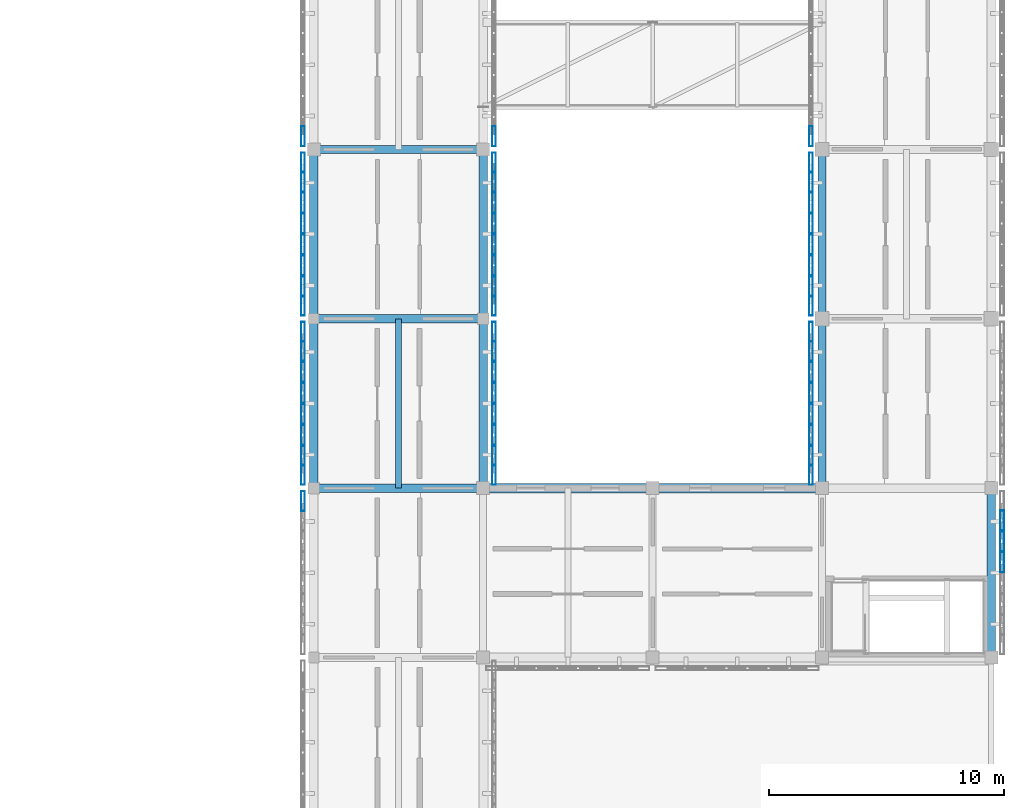
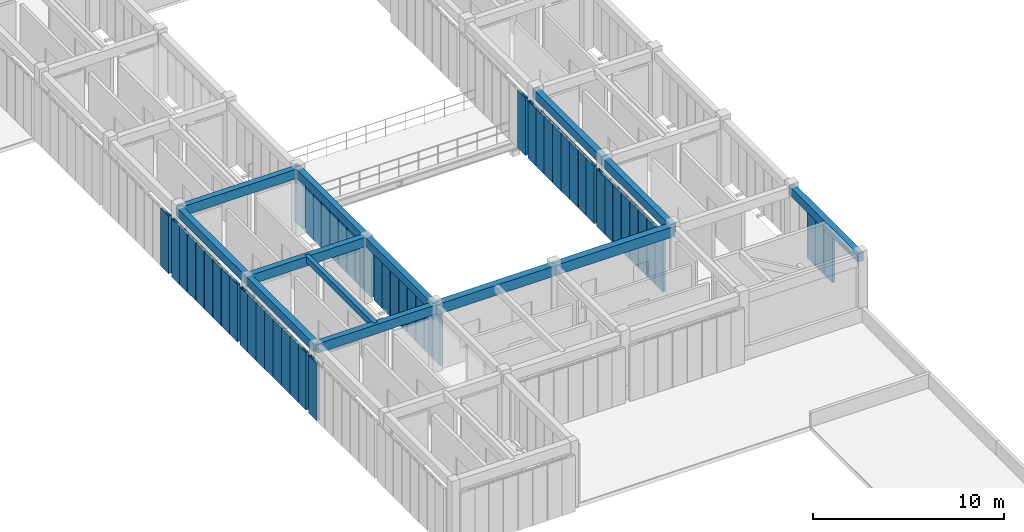
# One storey, part 12 of 91: 55 members, 13 beams, 11 elements without a shape of their own.
"""IFC4 building model written with IfcOpenShell, lengths in metres."""

from ifc_helpers import new_model, si_unit, direction, frame, origin, origin_2d, place, context, subcontext, project, spatial, rectangle, hollow_rectangle, extrude, material, material_profile, profile_set, type_object, element, aggregate, save


model = new_model("IFC4")

# Units and contexts
model_context = context("Model", 3, precision=1e-05, world=origin(), true_north=direction((0.0, 1.0)))
body_context = subcontext(model_context, "Body", "Model", "MODEL_VIEW")
ifc_project = project(units=[si_unit("LENGTHUNIT", "METRE"), si_unit("AREAUNIT", "SQUARE_METRE"), si_unit("VOLUMEUNIT", "CUBIC_METRE"), si_unit("PLANEANGLEUNIT", "RADIAN"), si_unit("MASSUNIT", "GRAM", prefix="KILO")], contexts=[model_context])

# Site, building, storey
site_placement = place(None, origin())
site = spatial("IfcSite", under=ifc_project, at=site_placement, CompositionType="ELEMENT")
building_placement = place(site_placement, origin())
building = spatial("IfcBuilding", under=site, at=building_placement, Name="Aldebral Square Health Centre", CompositionType="ELEMENT")
storey_placement = place(building_placement, frame((0.0, 0.0, 9.0)))
storey = spatial("IfcBuildingStorey", under=building, at=storey_placement, Name="L02", CompositionType="ELEMENT", Elevation=9.0)

# Beams
ifc_material_1 = material(Name="Concrete C40/50", Category="concrete")
ifc_material_profile_1 = material_profile(ifc_material_1, rectangle(XDim=0.39990234375, YDim=0.64990234375, at=origin_2d()), Name="RC 400x650")
ifc_profile_set_1 = profile_set([ifc_material_profile_1], Name="Concrete C40/50")
beam_type_1 = type_object("IfcBeamType", Name="BM-B1", PredefinedType="BEAM", material=ifc_profile_set_1)
for number, where, z_axis, x_axis, name in (
    (1, (144.0, 64.800048828125, 3.9150390625), (1.0, 0.0, 0.0), (0.0, 1.0, 0.0), "L02 X-beam 21-22/G10"),
    (2, (151.199951171875, 64.800048828125, 3.9150390625), (1.0, 0.0, 0.0), (0.0, 1.0, 0.0), "L02 X-beam 22-23/G10"),
):
    element("IfcBeam", number, at=place(storey_placement, frame(where, z_axis=z_axis, x_axis=x_axis)), inside=storey, type_object=beam_type_1, Name=name, PredefinedType="BEAM", context=body_context, shape_type="SweptSolid", body=[
        extrude(rectangle(XDim=0.39990234375, YDim=0.64990234375, at=origin_2d()), origin(), (0.0, 0.0, 1.0), 7.199951171875),
    ])
ifc_material_profile_2 = material_profile(ifc_material_1, rectangle(XDim=0.35009765625, YDim=0.60009765625, at=origin_2d()), Name="RC 350x600")
ifc_profile_set_2 = profile_set([ifc_material_profile_2], Name="Concrete C40/50")
beam_type_2 = type_object("IfcBeamType", Name="BM-B2", PredefinedType="BEAM", material=ifc_profile_set_2)
for number, where, z_axis, x_axis, name in (
    (3, (136.800048828125, 64.800048828125, 3.93994140625), (1.0, 0.0, 0.0), (0.0, 1.0, 0.0), "L02 X-beam 20-21/G10"),
    (4, (136.800048828125, 72.0, 3.93994140625), (1.0, 0.0, 0.0), (0.0, 1.0, 0.0), "L02 X-beam 20-21/G11"),
    (5, (136.800048828125, 79.199951171875, 3.93994140625), (1.0, 0.0, 0.0), (0.0, 1.0, 0.0), "L02 X-beam 20-21/G12"),
):
    element("IfcBeam", number, at=place(storey_placement, frame(where, z_axis=z_axis, x_axis=x_axis)), inside=storey, type_object=beam_type_2, Name=name, PredefinedType="BEAM", context=body_context, shape_type="SweptSolid", body=[
        extrude(rectangle(XDim=0.35009765625, YDim=0.60009765625, at=origin_2d()), origin(), (0.0, 0.0, 1.0), 7.199951171875),
    ])
ifc_material_profile_3 = material_profile(ifc_material_1, rectangle(XDim=0.35009765625, YDim=0.550048828125, at=origin_2d()), Name="RC 350x550")
ifc_profile_set_3 = profile_set([ifc_material_profile_3], Name="Concrete C40/50")
beam_type_3 = type_object("IfcBeamType", Name="BM-B3", PredefinedType="BEAM", material=ifc_profile_set_3)
for number, where, z_axis, x_axis, name in (
    (6, (136.800048828125, 64.800048828125, 3.965087890625), (0.0, 1.0, 0.0), (-1.0, 0.0, 0.0), "L02 Y-beam G20/10-11"),
    (7, (136.800048828125, 72.0, 3.965087890625), (0.0, 1.0, 0.0), (-1.0, 0.0, 0.0), "L02 Y-beam G20/11-12"),
    (8, (144.0, 64.800048828125, 3.965087890625), (0.0, 1.0, 0.0), (-1.0, 0.0, 0.0), "L02 Y-beam G21/10-11"),
    (9, (144.0, 72.0, 3.965087890625), (0.0, 1.0, 0.0), (-1.0, 0.0, 0.0), "L02 Y-beam G21/11-12"),
    (10, (158.39990234375, 64.800048828125, 3.965087890625), (0.0, 1.0, 0.0), (-1.0, 0.0, 0.0), "L02 Y-beam G23/10-11"),
    (11, (158.39990234375, 72.0, 3.965087890625), (0.0, 1.0, 0.0), (-1.0, 0.0, 0.0), "L02 Y-beam G23/11-12"),
    (12, (165.60009765625, 57.60009765625, 3.965087890625), (0.0, 1.0, 0.0), (-1.0, 0.0, 0.0), "L02 Y-beam G24/9-10"),
):
    element("IfcBeam", number, at=place(storey_placement, frame(where, z_axis=z_axis, x_axis=x_axis)), inside=storey, type_object=beam_type_3, Name=name, PredefinedType="BEAM", context=body_context, shape_type="SweptSolid", body=[
        extrude(rectangle(XDim=0.35009765625, YDim=0.550048828125, at=origin_2d()), origin(), (0.0, 0.0, 1.0), 7.199951171875),
    ])
ifc_material_profile_4 = material_profile(ifc_material_1, rectangle(XDim=0.25, YDim=0.39990234375, at=origin_2d()), Name="RC 250x400")
ifc_profile_set_4 = profile_set([ifc_material_profile_4], Name="Concrete C40/50")
beam_type_4 = type_object("IfcBeamType", Name="BM-B6", PredefinedType="JOIST", material=ifc_profile_set_4)
beam_placement = place(storey_placement, frame((140.39990234375, 64.800048828125, 4.0400390625), z_axis=(0.0, 1.0, 0.0), x_axis=(-1.0, 0.0, 0.0)))
element("IfcBeam", 13, at=beam_placement, inside=storey, type_object=beam_type_4, Name="L02 secondary rib 20.10", PredefinedType="JOIST", context=body_context, shape_type="SweptSolid", body=[
    extrude(rectangle(XDim=0.25, YDim=0.39990234375, at=origin_2d()), origin(), (0.0, 0.0, 1.0), 7.199951171875),
])

# Curtain wall, member
ifc_material_2 = material(Name="Aluminium and low-E solar glass", Category="aluminium")
curtain_wall_type = type_object("IfcCurtainWallType", Name="CW-FIN-SYS", PredefinedType="USERDEFINED", material=ifc_material_2)
curtain_wall_1_placement = place(storey_placement, origin())
curtain_wall_1 = element("IfcCurtainWall", 14, at=curtain_wall_1_placement, inside=storey, type_object=curtain_wall_type, Name="L02 V5 finned curtain wall L02-V5-19-08-W", ObjectType="SOLAR_CURTAIN_WALL", PredefinedType="USERDEFINED")
ifc_material_3 = material(Name="Sienna-terracotta clad aluminium fin", Category="masonry")
ifc_material_profile_5 = material_profile(ifc_material_3, hollow_rectangle(XDim=0.159912109375, YDim=0.85009765625, WallThickness=0.006103515625, at=origin_2d()), Name="FIN 160x850x6")
ifc_profile_set_5 = profile_set([ifc_material_profile_5], Name="Sienna-terracotta clad aluminium fin")
member_type = type_object("IfcMemberType", Name="CWM-FIN", PredefinedType="MULLION", material=ifc_profile_set_5)
member_1_placement = place(storey_placement, frame((136.340087890625, 64.239990234375, 0.0), z_axis=(0.0, 0.0, 1.0), x_axis=(1.0, 0.0, 0.0)))
member_1 = element("IfcMember", 15, at=member_1_placement, type_object=member_type, Name="CW1 mullion 1", PredefinedType="MULLION", context=body_context, shape_type="SweptSolid", body=[
    extrude(hollow_rectangle(XDim=0.159912109375, YDim=0.85009765625, WallThickness=0.006103515625, at=origin_2d()), origin(), (0.0, 0.0, 1.0), 3.68994140625),
])
aggregate(curtain_wall_1, [member_1])

# Curtain wall, members
curtain_wall_2_placement = place(storey_placement, origin())
curtain_wall_2 = element("IfcCurtainWall", 16, at=curtain_wall_2_placement, inside=storey, type_object=curtain_wall_type, Name="L02 V5 finned curtain wall L02-V5-19-09-W", ObjectType="SOLAR_CURTAIN_WALL", PredefinedType="USERDEFINED")
member_2_placement = place(storey_placement, frame((136.340087890625, 71.43994140625, 0.0), z_axis=(0.0, 0.0, 1.0), x_axis=(1.0, 0.0, 0.0)))
member_2 = element("IfcMember", 17, at=member_2_placement, type_object=member_type, Name="CW1 mullion 1", PredefinedType="MULLION", context=body_context, shape_type="SweptSolid", body=[
    extrude(hollow_rectangle(XDim=0.159912109375, YDim=0.85009765625, WallThickness=0.006103515625, at=origin_2d()), origin(), (0.0, 0.0, 1.0), 3.68994140625),
])
member_3_placement = place(storey_placement, frame((136.340087890625, 70.628662109375, 0.0), z_axis=(0.0, 0.0, 1.0), x_axis=(1.0, 0.0, 0.0)))
member_3 = element("IfcMember", 18, at=member_3_placement, type_object=member_type, Name="CW1 mullion 2", PredefinedType="MULLION", context=body_context, shape_type="SweptSolid", body=[
    extrude(hollow_rectangle(XDim=0.159912109375, YDim=0.85009765625, WallThickness=0.006103515625, at=origin_2d()), origin(), (0.0, 0.0, 1.0), 3.68994140625),
])
member_4_placement = place(storey_placement, frame((136.340087890625, 69.737060546875, 0.0), z_axis=(0.0, 0.0, 1.0), x_axis=(1.0, 0.0, 0.0)))
member_4 = element("IfcMember", 19, at=member_4_placement, type_object=member_type, Name="CW1 mullion 3", PredefinedType="MULLION", context=body_context, shape_type="SweptSolid", body=[
    extrude(hollow_rectangle(XDim=0.159912109375, YDim=0.85009765625, WallThickness=0.006103515625, at=origin_2d()), origin(), (0.0, 0.0, 1.0), 3.68994140625),
])
member_5_placement = place(storey_placement, frame((136.340087890625, 68.845703125, 0.0), z_axis=(0.0, 0.0, 1.0), x_axis=(1.0, 0.0, 0.0)))
member_5 = element("IfcMember", 20, at=member_5_placement, type_object=member_type, Name="CW1 mullion 4", PredefinedType="MULLION", context=body_context, shape_type="SweptSolid", body=[
    extrude(hollow_rectangle(XDim=0.159912109375, YDim=0.85009765625, WallThickness=0.006103515625, at=origin_2d()), origin(), (0.0, 0.0, 1.0), 3.68994140625),
])
member_6_placement = place(storey_placement, frame((136.340087890625, 67.954345703125, 0.0), z_axis=(0.0, 0.0, 1.0), x_axis=(1.0, 0.0, 0.0)))
member_6 = element("IfcMember", 21, at=member_6_placement, type_object=member_type, Name="CW1 mullion 5", PredefinedType="MULLION", context=body_context, shape_type="SweptSolid", body=[
    extrude(hollow_rectangle(XDim=0.159912109375, YDim=0.85009765625, WallThickness=0.006103515625, at=origin_2d()), origin(), (0.0, 0.0, 1.0), 3.68994140625),
])
member_7_placement = place(storey_placement, frame((136.340087890625, 67.062744140625, 0.0), z_axis=(0.0, 0.0, 1.0), x_axis=(1.0, 0.0, 0.0)))
member_7 = element("IfcMember", 22, at=member_7_placement, type_object=member_type, Name="CW1 mullion 6", PredefinedType="MULLION", context=body_context, shape_type="SweptSolid", body=[
    extrude(hollow_rectangle(XDim=0.159912109375, YDim=0.85009765625, WallThickness=0.006103515625, at=origin_2d()), origin(), (0.0, 0.0, 1.0), 3.68994140625),
])
member_8_placement = place(storey_placement, frame((136.340087890625, 66.17138671875, 0.0), z_axis=(0.0, 0.0, 1.0), x_axis=(1.0, 0.0, 0.0)))
member_8 = element("IfcMember", 23, at=member_8_placement, type_object=member_type, Name="CW1 mullion 7", PredefinedType="MULLION", context=body_context, shape_type="SweptSolid", body=[
    extrude(hollow_rectangle(XDim=0.159912109375, YDim=0.85009765625, WallThickness=0.006103515625, at=origin_2d()), origin(), (0.0, 0.0, 1.0), 3.68994140625),
])
member_9_placement = place(storey_placement, frame((136.340087890625, 65.360107421875, 0.0), z_axis=(0.0, 0.0, 1.0), x_axis=(1.0, 0.0, 0.0)))
member_9 = element("IfcMember", 24, at=member_9_placement, type_object=member_type, Name="CW1 mullion 8", PredefinedType="MULLION", context=body_context, shape_type="SweptSolid", body=[
    extrude(hollow_rectangle(XDim=0.159912109375, YDim=0.85009765625, WallThickness=0.006103515625, at=origin_2d()), origin(), (0.0, 0.0, 1.0), 3.68994140625),
])
aggregate(curtain_wall_2, [member_2, member_3, member_4, member_5, member_6, member_7, member_8, member_9])

curtain_wall_3_placement = place(storey_placement, origin())
curtain_wall_3 = element("IfcCurtainWall", 25, at=curtain_wall_3_placement, inside=storey, type_object=curtain_wall_type, Name="L02 V5 finned curtain wall L02-V5-19-09-E", ObjectType="SOLAR_CURTAIN_WALL", PredefinedType="USERDEFINED")
member_10_placement = place(storey_placement, frame((144.4599609375, 65.360107421875, 0.0), z_axis=(0.0, 0.0, 1.0), x_axis=(-1.0, 0.0, 0.0)))
member_10 = element("IfcMember", 26, at=member_10_placement, type_object=member_type, Name="CW1 mullion 1", PredefinedType="MULLION", context=body_context, shape_type="SweptSolid", body=[
    extrude(hollow_rectangle(XDim=0.159912109375, YDim=0.85009765625, WallThickness=0.006103515625, at=origin_2d()), origin(), (0.0, 0.0, 1.0), 3.68994140625),
])
member_11_placement = place(storey_placement, frame((144.4599609375, 66.17138671875, 0.0), z_axis=(0.0, 0.0, 1.0), x_axis=(-1.0, 0.0, 0.0)))
member_11 = element("IfcMember", 27, at=member_11_placement, type_object=member_type, Name="CW1 mullion 2", PredefinedType="MULLION", context=body_context, shape_type="SweptSolid", body=[
    extrude(hollow_rectangle(XDim=0.159912109375, YDim=0.85009765625, WallThickness=0.006103515625, at=origin_2d()), origin(), (0.0, 0.0, 1.0), 3.68994140625),
])
member_12_placement = place(storey_placement, frame((144.4599609375, 67.062744140625, 0.0), z_axis=(0.0, 0.0, 1.0), x_axis=(-1.0, 0.0, 0.0)))
member_12 = element("IfcMember", 28, at=member_12_placement, type_object=member_type, Name="CW1 mullion 3", PredefinedType="MULLION", context=body_context, shape_type="SweptSolid", body=[
    extrude(hollow_rectangle(XDim=0.159912109375, YDim=0.85009765625, WallThickness=0.006103515625, at=origin_2d()), origin(), (0.0, 0.0, 1.0), 3.68994140625),
])
member_13_placement = place(storey_placement, frame((144.4599609375, 67.954345703125, 0.0), z_axis=(0.0, 0.0, 1.0), x_axis=(-1.0, 0.0, 0.0)))
member_13 = element("IfcMember", 29, at=member_13_placement, type_object=member_type, Name="CW1 mullion 4", PredefinedType="MULLION", context=body_context, shape_type="SweptSolid", body=[
    extrude(hollow_rectangle(XDim=0.159912109375, YDim=0.85009765625, WallThickness=0.006103515625, at=origin_2d()), origin(), (0.0, 0.0, 1.0), 3.68994140625),
])
member_14_placement = place(storey_placement, frame((144.4599609375, 68.845703125, 0.0), z_axis=(0.0, 0.0, 1.0), x_axis=(-1.0, 0.0, 0.0)))
member_14 = element("IfcMember", 30, at=member_14_placement, type_object=member_type, Name="CW1 mullion 5", PredefinedType="MULLION", context=body_context, shape_type="SweptSolid", body=[
    extrude(hollow_rectangle(XDim=0.159912109375, YDim=0.85009765625, WallThickness=0.006103515625, at=origin_2d()), origin(), (0.0, 0.0, 1.0), 3.68994140625),
])
member_15_placement = place(storey_placement, frame((144.4599609375, 69.737060546875, 0.0), z_axis=(0.0, 0.0, 1.0), x_axis=(-1.0, 0.0, 0.0)))
member_15 = element("IfcMember", 31, at=member_15_placement, type_object=member_type, Name="CW1 mullion 6", PredefinedType="MULLION", context=body_context, shape_type="SweptSolid", body=[
    extrude(hollow_rectangle(XDim=0.159912109375, YDim=0.85009765625, WallThickness=0.006103515625, at=origin_2d()), origin(), (0.0, 0.0, 1.0), 3.68994140625),
])
member_16_placement = place(storey_placement, frame((144.4599609375, 70.628662109375, 0.0), z_axis=(0.0, 0.0, 1.0), x_axis=(-1.0, 0.0, 0.0)))
member_16 = element("IfcMember", 32, at=member_16_placement, type_object=member_type, Name="CW1 mullion 7", PredefinedType="MULLION", context=body_context, shape_type="SweptSolid", body=[
    extrude(hollow_rectangle(XDim=0.159912109375, YDim=0.85009765625, WallThickness=0.006103515625, at=origin_2d()), origin(), (0.0, 0.0, 1.0), 3.68994140625),
])
member_17_placement = place(storey_placement, frame((144.4599609375, 71.43994140625, 0.0), z_axis=(0.0, 0.0, 1.0), x_axis=(-1.0, 0.0, 0.0)))
member_17 = element("IfcMember", 33, at=member_17_placement, type_object=member_type, Name="CW1 mullion 8", PredefinedType="MULLION", context=body_context, shape_type="SweptSolid", body=[
    extrude(hollow_rectangle(XDim=0.159912109375, YDim=0.85009765625, WallThickness=0.006103515625, at=origin_2d()), origin(), (0.0, 0.0, 1.0), 3.68994140625),
])
aggregate(curtain_wall_3, [member_10, member_11, member_12, member_13, member_14, member_15, member_16, member_17])

curtain_wall_4_placement = place(storey_placement, origin())
curtain_wall_4 = element("IfcCurtainWall", 34, at=curtain_wall_4_placement, inside=storey, type_object=curtain_wall_type, Name="L02 V5 finned curtain wall L02-V5-19-10-W", ObjectType="SOLAR_CURTAIN_WALL", PredefinedType="USERDEFINED")
member_18_placement = place(storey_placement, frame((136.340087890625, 78.639892578125, 0.0), z_axis=(0.0, 0.0, 1.0), x_axis=(1.0, 0.0, 0.0)))
member_18 = element("IfcMember", 35, at=member_18_placement, type_object=member_type, Name="CW1 mullion 1", PredefinedType="MULLION", context=body_context, shape_type="SweptSolid", body=[
    extrude(hollow_rectangle(XDim=0.159912109375, YDim=0.85009765625, WallThickness=0.006103515625, at=origin_2d()), origin(), (0.0, 0.0, 1.0), 3.68994140625),
])
member_19_placement = place(storey_placement, frame((136.340087890625, 77.82861328125, 0.0), z_axis=(0.0, 0.0, 1.0), x_axis=(1.0, 0.0, 0.0)))
member_19 = element("IfcMember", 36, at=member_19_placement, type_object=member_type, Name="CW1 mullion 2", PredefinedType="MULLION", context=body_context, shape_type="SweptSolid", body=[
    extrude(hollow_rectangle(XDim=0.159912109375, YDim=0.85009765625, WallThickness=0.006103515625, at=origin_2d()), origin(), (0.0, 0.0, 1.0), 3.68994140625),
])
member_20_placement = place(storey_placement, frame((136.340087890625, 76.937255859375, 0.0), z_axis=(0.0, 0.0, 1.0), x_axis=(1.0, 0.0, 0.0)))
member_20 = element("IfcMember", 37, at=member_20_placement, type_object=member_type, Name="CW1 mullion 3", PredefinedType="MULLION", context=body_context, shape_type="SweptSolid", body=[
    extrude(hollow_rectangle(XDim=0.159912109375, YDim=0.85009765625, WallThickness=0.006103515625, at=origin_2d()), origin(), (0.0, 0.0, 1.0), 3.68994140625),
])
member_21_placement = place(storey_placement, frame((136.340087890625, 76.045654296875, 0.0), z_axis=(0.0, 0.0, 1.0), x_axis=(1.0, 0.0, 0.0)))
member_21 = element("IfcMember", 38, at=member_21_placement, type_object=member_type, Name="CW1 mullion 4", PredefinedType="MULLION", context=body_context, shape_type="SweptSolid", body=[
    extrude(hollow_rectangle(XDim=0.159912109375, YDim=0.85009765625, WallThickness=0.006103515625, at=origin_2d()), origin(), (0.0, 0.0, 1.0), 3.68994140625),
])
member_22_placement = place(storey_placement, frame((136.340087890625, 75.154296875, 0.0), z_axis=(0.0, 0.0, 1.0), x_axis=(1.0, 0.0, 0.0)))
member_22 = element("IfcMember", 39, at=member_22_placement, type_object=member_type, Name="CW1 mullion 5", PredefinedType="MULLION", context=body_context, shape_type="SweptSolid", body=[
    extrude(hollow_rectangle(XDim=0.159912109375, YDim=0.85009765625, WallThickness=0.006103515625, at=origin_2d()), origin(), (0.0, 0.0, 1.0), 3.68994140625),
])
member_23_placement = place(storey_placement, frame((136.340087890625, 74.262939453125, 0.0), z_axis=(0.0, 0.0, 1.0), x_axis=(1.0, 0.0, 0.0)))
member_23 = element("IfcMember", 40, at=member_23_placement, type_object=member_type, Name="CW1 mullion 6", PredefinedType="MULLION", context=body_context, shape_type="SweptSolid", body=[
    extrude(hollow_rectangle(XDim=0.159912109375, YDim=0.85009765625, WallThickness=0.006103515625, at=origin_2d()), origin(), (0.0, 0.0, 1.0), 3.68994140625),
])
member_24_placement = place(storey_placement, frame((136.340087890625, 73.371337890625, 0.0), z_axis=(0.0, 0.0, 1.0), x_axis=(1.0, 0.0, 0.0)))
member_24 = element("IfcMember", 41, at=member_24_placement, type_object=member_type, Name="CW1 mullion 7", PredefinedType="MULLION", context=body_context, shape_type="SweptSolid", body=[
    extrude(hollow_rectangle(XDim=0.159912109375, YDim=0.85009765625, WallThickness=0.006103515625, at=origin_2d()), origin(), (0.0, 0.0, 1.0), 3.68994140625),
])
member_25_placement = place(storey_placement, frame((136.340087890625, 72.56005859375, 0.0), z_axis=(0.0, 0.0, 1.0), x_axis=(1.0, 0.0, 0.0)))
member_25 = element("IfcMember", 42, at=member_25_placement, type_object=member_type, Name="CW1 mullion 8", PredefinedType="MULLION", context=body_context, shape_type="SweptSolid", body=[
    extrude(hollow_rectangle(XDim=0.159912109375, YDim=0.85009765625, WallThickness=0.006103515625, at=origin_2d()), origin(), (0.0, 0.0, 1.0), 3.68994140625),
])
aggregate(curtain_wall_4, [member_18, member_19, member_20, member_21, member_22, member_23, member_24, member_25])

curtain_wall_5_placement = place(storey_placement, origin())
curtain_wall_5 = element("IfcCurtainWall", 43, at=curtain_wall_5_placement, inside=storey, type_object=curtain_wall_type, Name="L02 V5 finned curtain wall L02-V5-19-10-E", ObjectType="SOLAR_CURTAIN_WALL", PredefinedType="USERDEFINED")
member_26_placement = place(storey_placement, frame((144.4599609375, 72.56005859375, 0.0), z_axis=(0.0, 0.0, 1.0), x_axis=(-1.0, 0.0, 0.0)))
member_26 = element("IfcMember", 44, at=member_26_placement, type_object=member_type, Name="CW1 mullion 1", PredefinedType="MULLION", context=body_context, shape_type="SweptSolid", body=[
    extrude(hollow_rectangle(XDim=0.159912109375, YDim=0.85009765625, WallThickness=0.006103515625, at=origin_2d()), origin(), (0.0, 0.0, 1.0), 3.68994140625),
])
member_27_placement = place(storey_placement, frame((144.4599609375, 73.371337890625, 0.0), z_axis=(0.0, 0.0, 1.0), x_axis=(-1.0, 0.0, 0.0)))
member_27 = element("IfcMember", 45, at=member_27_placement, type_object=member_type, Name="CW1 mullion 2", PredefinedType="MULLION", context=body_context, shape_type="SweptSolid", body=[
    extrude(hollow_rectangle(XDim=0.159912109375, YDim=0.85009765625, WallThickness=0.006103515625, at=origin_2d()), origin(), (0.0, 0.0, 1.0), 3.68994140625),
])
member_28_placement = place(storey_placement, frame((144.4599609375, 74.262939453125, 0.0), z_axis=(0.0, 0.0, 1.0), x_axis=(-1.0, 0.0, 0.0)))
member_28 = element("IfcMember", 46, at=member_28_placement, type_object=member_type, Name="CW1 mullion 3", PredefinedType="MULLION", context=body_context, shape_type="SweptSolid", body=[
    extrude(hollow_rectangle(XDim=0.159912109375, YDim=0.85009765625, WallThickness=0.006103515625, at=origin_2d()), origin(), (0.0, 0.0, 1.0), 3.68994140625),
])
member_29_placement = place(storey_placement, frame((144.4599609375, 75.154296875, 0.0), z_axis=(0.0, 0.0, 1.0), x_axis=(-1.0, 0.0, 0.0)))
member_29 = element("IfcMember", 47, at=member_29_placement, type_object=member_type, Name="CW1 mullion 4", PredefinedType="MULLION", context=body_context, shape_type="SweptSolid", body=[
    extrude(hollow_rectangle(XDim=0.159912109375, YDim=0.85009765625, WallThickness=0.006103515625, at=origin_2d()), origin(), (0.0, 0.0, 1.0), 3.68994140625),
])
member_30_placement = place(storey_placement, frame((144.4599609375, 76.045654296875, 0.0), z_axis=(0.0, 0.0, 1.0), x_axis=(-1.0, 0.0, 0.0)))
member_30 = element("IfcMember", 48, at=member_30_placement, type_object=member_type, Name="CW1 mullion 5", PredefinedType="MULLION", context=body_context, shape_type="SweptSolid", body=[
    extrude(hollow_rectangle(XDim=0.159912109375, YDim=0.85009765625, WallThickness=0.006103515625, at=origin_2d()), origin(), (0.0, 0.0, 1.0), 3.68994140625),
])
member_31_placement = place(storey_placement, frame((144.4599609375, 76.937255859375, 0.0), z_axis=(0.0, 0.0, 1.0), x_axis=(-1.0, 0.0, 0.0)))
member_31 = element("IfcMember", 49, at=member_31_placement, type_object=member_type, Name="CW1 mullion 6", PredefinedType="MULLION", context=body_context, shape_type="SweptSolid", body=[
    extrude(hollow_rectangle(XDim=0.159912109375, YDim=0.85009765625, WallThickness=0.006103515625, at=origin_2d()), origin(), (0.0, 0.0, 1.0), 3.68994140625),
])
member_32_placement = place(storey_placement, frame((144.4599609375, 77.82861328125, 0.0), z_axis=(0.0, 0.0, 1.0), x_axis=(-1.0, 0.0, 0.0)))
member_32 = element("IfcMember", 50, at=member_32_placement, type_object=member_type, Name="CW1 mullion 7", PredefinedType="MULLION", context=body_context, shape_type="SweptSolid", body=[
    extrude(hollow_rectangle(XDim=0.159912109375, YDim=0.85009765625, WallThickness=0.006103515625, at=origin_2d()), origin(), (0.0, 0.0, 1.0), 3.68994140625),
])
member_33_placement = place(storey_placement, frame((144.4599609375, 78.639892578125, 0.0), z_axis=(0.0, 0.0, 1.0), x_axis=(-1.0, 0.0, 0.0)))
member_33 = element("IfcMember", 51, at=member_33_placement, type_object=member_type, Name="CW1 mullion 8", PredefinedType="MULLION", context=body_context, shape_type="SweptSolid", body=[
    extrude(hollow_rectangle(XDim=0.159912109375, YDim=0.85009765625, WallThickness=0.006103515625, at=origin_2d()), origin(), (0.0, 0.0, 1.0), 3.68994140625),
])
aggregate(curtain_wall_5, [member_26, member_27, member_28, member_29, member_30, member_31, member_32, member_33])

# Curtain wall, member
curtain_wall_6_placement = place(storey_placement, origin())
curtain_wall_6 = element("IfcCurtainWall", 52, at=curtain_wall_6_placement, inside=storey, type_object=curtain_wall_type, Name="L02 V5 finned curtain wall L02-V5-19-11-W", ObjectType="SOLAR_CURTAIN_WALL", PredefinedType="USERDEFINED")
member_34_placement = place(storey_placement, frame((136.340087890625, 79.760009765625, 0.0), z_axis=(0.0, 0.0, 1.0), x_axis=(1.0, 0.0, 0.0)))
member_34 = element("IfcMember", 53, at=member_34_placement, type_object=member_type, Name="CW1 mullion 8", PredefinedType="MULLION", context=body_context, shape_type="SweptSolid", body=[
    extrude(hollow_rectangle(XDim=0.159912109375, YDim=0.85009765625, WallThickness=0.006103515625, at=origin_2d()), origin(), (0.0, 0.0, 1.0), 3.68994140625),
])
aggregate(curtain_wall_6, [member_34])

curtain_wall_7_placement = place(storey_placement, origin())
curtain_wall_7 = element("IfcCurtainWall", 54, at=curtain_wall_7_placement, inside=storey, type_object=curtain_wall_type, Name="L02 V5 finned curtain wall L02-V5-19-11-E", ObjectType="SOLAR_CURTAIN_WALL", PredefinedType="USERDEFINED")
member_35_placement = place(storey_placement, frame((144.4599609375, 79.760009765625, 0.0), z_axis=(0.0, 0.0, 1.0), x_axis=(-1.0, 0.0, 0.0)))
member_35 = element("IfcMember", 55, at=member_35_placement, type_object=member_type, Name="CW1 mullion 1", PredefinedType="MULLION", context=body_context, shape_type="SweptSolid", body=[
    extrude(hollow_rectangle(XDim=0.159912109375, YDim=0.85009765625, WallThickness=0.006103515625, at=origin_2d()), origin(), (0.0, 0.0, 1.0), 3.68994140625),
])
aggregate(curtain_wall_7, [member_35])

# Curtain wall, members
curtain_wall_8_placement = place(storey_placement, origin())
curtain_wall_8 = element("IfcCurtainWall", 56, at=curtain_wall_8_placement, inside=storey, type_object=curtain_wall_type, Name="L02 V5 finned curtain wall L02-V5-22-08-E", ObjectType="SOLAR_CURTAIN_WALL", PredefinedType="USERDEFINED")
member_36_placement = place(storey_placement, frame((166.06005859375, 61.645751953125, 0.0), z_axis=(0.0, 0.0, 1.0), x_axis=(-1.0, 0.0, 0.0)))
member_36 = element("IfcMember", 57, at=member_36_placement, type_object=member_type, Name="CW1 mullion 5", PredefinedType="MULLION", context=body_context, shape_type="SweptSolid", body=[
    extrude(hollow_rectangle(XDim=0.159912109375, YDim=0.85009765625, WallThickness=0.006103515625, at=origin_2d()), origin(), (0.0, 0.0, 1.0), 3.68994140625),
])
member_37_placement = place(storey_placement, frame((166.06005859375, 62.537109375, 0.0), z_axis=(0.0, 0.0, 1.0), x_axis=(-1.0, 0.0, 0.0)))
member_37 = element("IfcMember", 58, at=member_37_placement, type_object=member_type, Name="CW1 mullion 6", PredefinedType="MULLION", context=body_context, shape_type="SweptSolid", body=[
    extrude(hollow_rectangle(XDim=0.159912109375, YDim=0.85009765625, WallThickness=0.006103515625, at=origin_2d()), origin(), (0.0, 0.0, 1.0), 3.68994140625),
])
member_38_placement = place(storey_placement, frame((166.06005859375, 63.428466796875, 0.0), z_axis=(0.0, 0.0, 1.0), x_axis=(-1.0, 0.0, 0.0)))
member_38 = element("IfcMember", 59, at=member_38_placement, type_object=member_type, Name="CW1 mullion 7", PredefinedType="MULLION", context=body_context, shape_type="SweptSolid", body=[
    extrude(hollow_rectangle(XDim=0.159912109375, YDim=0.85009765625, WallThickness=0.006103515625, at=origin_2d()), origin(), (0.0, 0.0, 1.0), 3.68994140625),
])
aggregate(curtain_wall_8, [member_36, member_37, member_38])

curtain_wall_9_placement = place(storey_placement, origin())
curtain_wall_9 = element("IfcCurtainWall", 60, at=curtain_wall_9_placement, inside=storey, type_object=curtain_wall_type, Name="L02 V5 finned curtain wall L02-V5-22-09-W", ObjectType="SOLAR_CURTAIN_WALL", PredefinedType="USERDEFINED")
member_39_placement = place(storey_placement, frame((157.93994140625, 71.43994140625, 0.0), z_axis=(0.0, 0.0, 1.0), x_axis=(1.0, 0.0, 0.0)))
member_39 = element("IfcMember", 61, at=member_39_placement, type_object=member_type, Name="CW1 mullion 1", PredefinedType="MULLION", context=body_context, shape_type="SweptSolid", body=[
    extrude(hollow_rectangle(XDim=0.159912109375, YDim=0.85009765625, WallThickness=0.006103515625, at=origin_2d()), origin(), (0.0, 0.0, 1.0), 3.68994140625),
])
member_40_placement = place(storey_placement, frame((157.93994140625, 70.628662109375, 0.0), z_axis=(0.0, 0.0, 1.0), x_axis=(1.0, 0.0, 0.0)))
member_40 = element("IfcMember", 62, at=member_40_placement, type_object=member_type, Name="CW1 mullion 2", PredefinedType="MULLION", context=body_context, shape_type="SweptSolid", body=[
    extrude(hollow_rectangle(XDim=0.159912109375, YDim=0.85009765625, WallThickness=0.006103515625, at=origin_2d()), origin(), (0.0, 0.0, 1.0), 3.68994140625),
])
member_41_placement = place(storey_placement, frame((157.93994140625, 69.737060546875, 0.0), z_axis=(0.0, 0.0, 1.0), x_axis=(1.0, 0.0, 0.0)))
member_41 = element("IfcMember", 63, at=member_41_placement, type_object=member_type, Name="CW1 mullion 3", PredefinedType="MULLION", context=body_context, shape_type="SweptSolid", body=[
    extrude(hollow_rectangle(XDim=0.159912109375, YDim=0.85009765625, WallThickness=0.006103515625, at=origin_2d()), origin(), (0.0, 0.0, 1.0), 3.68994140625),
])
member_42_placement = place(storey_placement, frame((157.93994140625, 68.845703125, 0.0), z_axis=(0.0, 0.0, 1.0), x_axis=(1.0, 0.0, 0.0)))
member_42 = element("IfcMember", 64, at=member_42_placement, type_object=member_type, Name="CW1 mullion 4", PredefinedType="MULLION", context=body_context, shape_type="SweptSolid", body=[
    extrude(hollow_rectangle(XDim=0.159912109375, YDim=0.85009765625, WallThickness=0.006103515625, at=origin_2d()), origin(), (0.0, 0.0, 1.0), 3.68994140625),
])
member_43_placement = place(storey_placement, frame((157.93994140625, 67.954345703125, 0.0), z_axis=(0.0, 0.0, 1.0), x_axis=(1.0, 0.0, 0.0)))
member_43 = element("IfcMember", 65, at=member_43_placement, type_object=member_type, Name="CW1 mullion 5", PredefinedType="MULLION", context=body_context, shape_type="SweptSolid", body=[
    extrude(hollow_rectangle(XDim=0.159912109375, YDim=0.85009765625, WallThickness=0.006103515625, at=origin_2d()), origin(), (0.0, 0.0, 1.0), 3.68994140625),
])
member_44_placement = place(storey_placement, frame((157.93994140625, 67.062744140625, 0.0), z_axis=(0.0, 0.0, 1.0), x_axis=(1.0, 0.0, 0.0)))
member_44 = element("IfcMember", 66, at=member_44_placement, type_object=member_type, Name="CW1 mullion 6", PredefinedType="MULLION", context=body_context, shape_type="SweptSolid", body=[
    extrude(hollow_rectangle(XDim=0.159912109375, YDim=0.85009765625, WallThickness=0.006103515625, at=origin_2d()), origin(), (0.0, 0.0, 1.0), 3.68994140625),
])
member_45_placement = place(storey_placement, frame((157.93994140625, 66.17138671875, 0.0), z_axis=(0.0, 0.0, 1.0), x_axis=(1.0, 0.0, 0.0)))
member_45 = element("IfcMember", 67, at=member_45_placement, type_object=member_type, Name="CW1 mullion 7", PredefinedType="MULLION", context=body_context, shape_type="SweptSolid", body=[
    extrude(hollow_rectangle(XDim=0.159912109375, YDim=0.85009765625, WallThickness=0.006103515625, at=origin_2d()), origin(), (0.0, 0.0, 1.0), 3.68994140625),
])
member_46_placement = place(storey_placement, frame((157.93994140625, 65.360107421875, 0.0), z_axis=(0.0, 0.0, 1.0), x_axis=(1.0, 0.0, 0.0)))
member_46 = element("IfcMember", 68, at=member_46_placement, type_object=member_type, Name="CW1 mullion 8", PredefinedType="MULLION", context=body_context, shape_type="SweptSolid", body=[
    extrude(hollow_rectangle(XDim=0.159912109375, YDim=0.85009765625, WallThickness=0.006103515625, at=origin_2d()), origin(), (0.0, 0.0, 1.0), 3.68994140625),
])
aggregate(curtain_wall_9, [member_39, member_40, member_41, member_42, member_43, member_44, member_45, member_46])

curtain_wall_10_placement = place(storey_placement, origin())
curtain_wall_10 = element("IfcCurtainWall", 69, at=curtain_wall_10_placement, inside=storey, type_object=curtain_wall_type, Name="L02 V5 finned curtain wall L02-V5-22-10-W", ObjectType="SOLAR_CURTAIN_WALL", PredefinedType="USERDEFINED")
member_47_placement = place(storey_placement, frame((157.93994140625, 78.639892578125, 0.0), z_axis=(0.0, 0.0, 1.0), x_axis=(1.0, 0.0, 0.0)))
member_47 = element("IfcMember", 70, at=member_47_placement, type_object=member_type, Name="CW1 mullion 1", PredefinedType="MULLION", context=body_context, shape_type="SweptSolid", body=[
    extrude(hollow_rectangle(XDim=0.159912109375, YDim=0.85009765625, WallThickness=0.006103515625, at=origin_2d()), origin(), (0.0, 0.0, 1.0), 3.68994140625),
])
member_48_placement = place(storey_placement, frame((157.93994140625, 77.82861328125, 0.0), z_axis=(0.0, 0.0, 1.0), x_axis=(1.0, 0.0, 0.0)))
member_48 = element("IfcMember", 71, at=member_48_placement, type_object=member_type, Name="CW1 mullion 2", PredefinedType="MULLION", context=body_context, shape_type="SweptSolid", body=[
    extrude(hollow_rectangle(XDim=0.159912109375, YDim=0.85009765625, WallThickness=0.006103515625, at=origin_2d()), origin(), (0.0, 0.0, 1.0), 3.68994140625),
])
member_49_placement = place(storey_placement, frame((157.93994140625, 76.937255859375, 0.0), z_axis=(0.0, 0.0, 1.0), x_axis=(1.0, 0.0, 0.0)))
member_49 = element("IfcMember", 72, at=member_49_placement, type_object=member_type, Name="CW1 mullion 3", PredefinedType="MULLION", context=body_context, shape_type="SweptSolid", body=[
    extrude(hollow_rectangle(XDim=0.159912109375, YDim=0.85009765625, WallThickness=0.006103515625, at=origin_2d()), origin(), (0.0, 0.0, 1.0), 3.68994140625),
])
member_50_placement = place(storey_placement, frame((157.93994140625, 76.045654296875, 0.0), z_axis=(0.0, 0.0, 1.0), x_axis=(1.0, 0.0, 0.0)))
member_50 = element("IfcMember", 73, at=member_50_placement, type_object=member_type, Name="CW1 mullion 4", PredefinedType="MULLION", context=body_context, shape_type="SweptSolid", body=[
    extrude(hollow_rectangle(XDim=0.159912109375, YDim=0.85009765625, WallThickness=0.006103515625, at=origin_2d()), origin(), (0.0, 0.0, 1.0), 3.68994140625),
])
member_51_placement = place(storey_placement, frame((157.93994140625, 75.154296875, 0.0), z_axis=(0.0, 0.0, 1.0), x_axis=(1.0, 0.0, 0.0)))
member_51 = element("IfcMember", 74, at=member_51_placement, type_object=member_type, Name="CW1 mullion 5", PredefinedType="MULLION", context=body_context, shape_type="SweptSolid", body=[
    extrude(hollow_rectangle(XDim=0.159912109375, YDim=0.85009765625, WallThickness=0.006103515625, at=origin_2d()), origin(), (0.0, 0.0, 1.0), 3.68994140625),
])
member_52_placement = place(storey_placement, frame((157.93994140625, 74.262939453125, 0.0), z_axis=(0.0, 0.0, 1.0), x_axis=(1.0, 0.0, 0.0)))
member_52 = element("IfcMember", 75, at=member_52_placement, type_object=member_type, Name="CW1 mullion 6", PredefinedType="MULLION", context=body_context, shape_type="SweptSolid", body=[
    extrude(hollow_rectangle(XDim=0.159912109375, YDim=0.85009765625, WallThickness=0.006103515625, at=origin_2d()), origin(), (0.0, 0.0, 1.0), 3.68994140625),
])
member_53_placement = place(storey_placement, frame((157.93994140625, 73.371337890625, 0.0), z_axis=(0.0, 0.0, 1.0), x_axis=(1.0, 0.0, 0.0)))
member_53 = element("IfcMember", 76, at=member_53_placement, type_object=member_type, Name="CW1 mullion 7", PredefinedType="MULLION", context=body_context, shape_type="SweptSolid", body=[
    extrude(hollow_rectangle(XDim=0.159912109375, YDim=0.85009765625, WallThickness=0.006103515625, at=origin_2d()), origin(), (0.0, 0.0, 1.0), 3.68994140625),
])
member_54_placement = place(storey_placement, frame((157.93994140625, 72.56005859375, 0.0), z_axis=(0.0, 0.0, 1.0), x_axis=(1.0, 0.0, 0.0)))
member_54 = element("IfcMember", 77, at=member_54_placement, type_object=member_type, Name="CW1 mullion 8", PredefinedType="MULLION", context=body_context, shape_type="SweptSolid", body=[
    extrude(hollow_rectangle(XDim=0.159912109375, YDim=0.85009765625, WallThickness=0.006103515625, at=origin_2d()), origin(), (0.0, 0.0, 1.0), 3.68994140625),
])
aggregate(curtain_wall_10, [member_47, member_48, member_49, member_50, member_51, member_52, member_53, member_54])

# Curtain wall, member
curtain_wall_11_placement = place(storey_placement, origin())
curtain_wall_11 = element("IfcCurtainWall", 78, at=curtain_wall_11_placement, inside=storey, type_object=curtain_wall_type, Name="L02 V5 finned curtain wall L02-V5-22-11-W", ObjectType="SOLAR_CURTAIN_WALL", PredefinedType="USERDEFINED")
member_55_placement = place(storey_placement, frame((157.93994140625, 79.760009765625, 0.0), z_axis=(0.0, 0.0, 1.0), x_axis=(1.0, 0.0, 0.0)))
member_55 = element("IfcMember", 79, at=member_55_placement, type_object=member_type, Name="CW1 mullion 8", PredefinedType="MULLION", context=body_context, shape_type="SweptSolid", body=[
    extrude(hollow_rectangle(XDim=0.159912109375, YDim=0.85009765625, WallThickness=0.006103515625, at=origin_2d()), origin(), (0.0, 0.0, 1.0), 3.68994140625),
])
aggregate(curtain_wall_11, [member_55])

save(model, "model.ifc")
